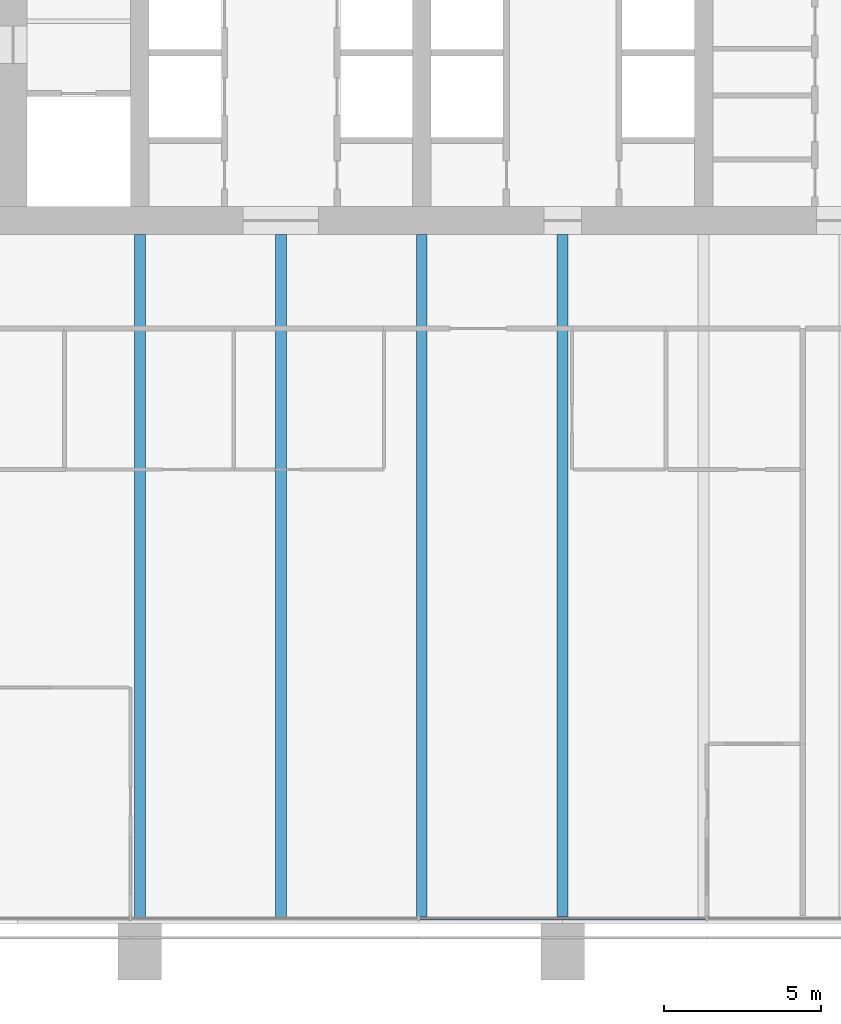
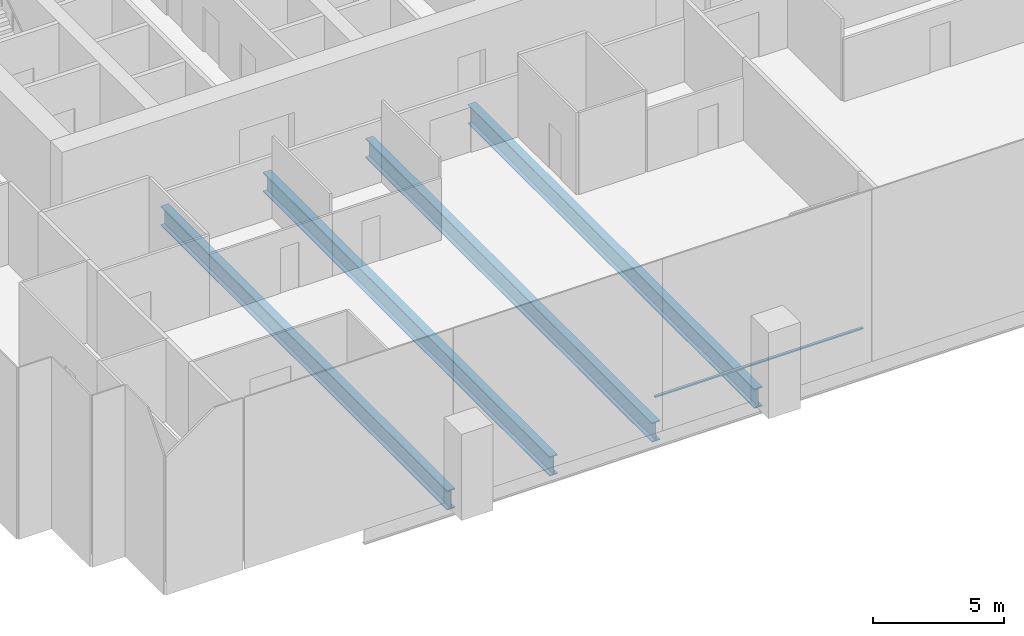
# One storey, part 3 of 17: 4 beams, 1 member, 1 element without a shape of its own.
"""IFC4 building model written with IfcOpenShell, lengths in metres."""

from ifc_helpers import new_model, si_unit, direction, frame, origin, origin_2d, place, context, subcontext, project, spatial, rectangle, i_section, extrude, material, material_profile, profile_set, type_object, element, aggregate, save


model = new_model("IFC4")

# Units and contexts
model_context = context("Model", 3, precision=1e-05, world=origin(), true_north=direction((0.0, 1.0)))
body_context = subcontext(model_context, "Body", "Model", "MODEL_VIEW")
ifc_project = project(units=[si_unit("LENGTHUNIT", "METRE"), si_unit("AREAUNIT", "SQUARE_METRE"), si_unit("VOLUMEUNIT", "CUBIC_METRE"), si_unit("PLANEANGLEUNIT", "RADIAN"), si_unit("MASSUNIT", "GRAM", prefix="KILO")], contexts=[model_context])

# Site, building, storey
site_placement = place(None, origin())
site = spatial("IfcSite", under=ifc_project, at=site_placement, CompositionType="ELEMENT")
building_placement = place(site_placement, origin())
building = spatial("IfcBuilding", under=site, at=building_placement, Name="Rattan Terrace Tower", CompositionType="ELEMENT")
storey_placement = place(building_placement, frame((0.0, 0.0, 126.10009765625)))
storey = spatial("IfcBuildingStorey", under=building, at=storey_placement, Name="L28", CompositionType="ELEMENT", Elevation=126.10009765625)

# Curtain wall, member
ifc_material_1 = material(Name="Aluminium and glass", Category="aluminium")
curtain_wall_type = type_object("IfcCurtainWallType", Name="Facade Unitised Curtain Wall", PredefinedType="NOTDEFINED", material=ifc_material_1)
curtain_wall_placement = place(storey_placement, origin())
curtain_wall = element("IfcCurtainWall", 1, at=curtain_wall_placement, inside=storey, type_object=curtain_wall_type, Name="Curtain wall L28-4", PredefinedType="NOTDEFINED")
ifc_material_2 = material(Name="Aluminium", Category="aluminium")
ifc_material_profile_1 = material_profile(ifc_material_2, rectangle(XDim=0.1201171875, YDim=0.06005859375, at=origin_2d()), Name="Aluminium 120x60")
ifc_profile_set_1 = profile_set([ifc_material_profile_1], Name="Aluminium")
member_type = type_object("IfcMemberType", Name="Facade CW Transom 120x60", PredefinedType="USERDEFINED", material=ifc_profile_set_1)
member_placement = place(storey_placement, frame((-4.568115234375, -29.330078125, 1.0), z_axis=(1.0, 0.0, 0.0), x_axis=(0.0, 1.0, 0.0)))
member = element("IfcMember", 2, at=member_placement, type_object=member_type, Name="Transom cwl-L28-004.3", ObjectType="TRANSOM", PredefinedType="USERDEFINED", context=body_context, shape_type="SweptSolid", body=[
    extrude(rectangle(XDim=0.1201171875, YDim=0.06005859375, at=origin_2d()), origin(), (0.0, 0.0, 1.0), 9.14111328125),
])
aggregate(curtain_wall, [member])

# Beams
ifc_material_3 = material(Name="Steel S460", Category="steel")
ifc_material_profile_2 = material_profile(ifc_material_3, i_section(OverallWidth=0.35009765625, OverallDepth=0.89990234375, WebThickness=0.013916015625, FlangeThickness=0.0400390625, at=origin_2d()), Name="PG 900x350-14-40")
ifc_profile_set_2 = profile_set([ifc_material_profile_2], Name="Steel S460")
beam_type = type_object("IfcBeamType", Name="Frame floor beam PG 900x350-14-40", PredefinedType="JOIST", material=ifc_profile_set_2)
for number, where, z_axis, x_axis, name in (
    (3, (-13.5, -29.320068359375, -0.650146484375), (0.0, 1.0, 0.0), (-1.0, 0.0, 0.0), "bm-L28-003"),
    (4, (-9.0, -29.320068359375, -0.650146484375), (0.0, 1.0, 0.0), (-1.0, 0.0, 0.0), "bm-L28-004"),
    (5, (-4.5, -29.320068359375, -0.650146484375), (0.0, 1.0, 0.0), (-1.0, 0.0, 0.0), "bm-L28-005"),
    (6, (0.0, -29.320068359375, -0.650146484375), (0.0, 1.0, 0.0), (-1.0, 0.0, 0.0), "bm-L28-006"),
):
    element("IfcBeam", number, at=place(storey_placement, frame(where, z_axis=z_axis, x_axis=x_axis)), inside=storey, type_object=beam_type, Name=name, PredefinedType="JOIST", context=body_context, shape_type="SweptSolid", body=[
        extrude(i_section(OverallWidth=0.35009765625, OverallDepth=0.89990234375, WebThickness=0.013916015625, FlangeThickness=0.0400390625, at=origin_2d()), origin(), (0.0, 0.0, 1.0), 21.820068359375),
    ])

save(model, "model.ifc")
